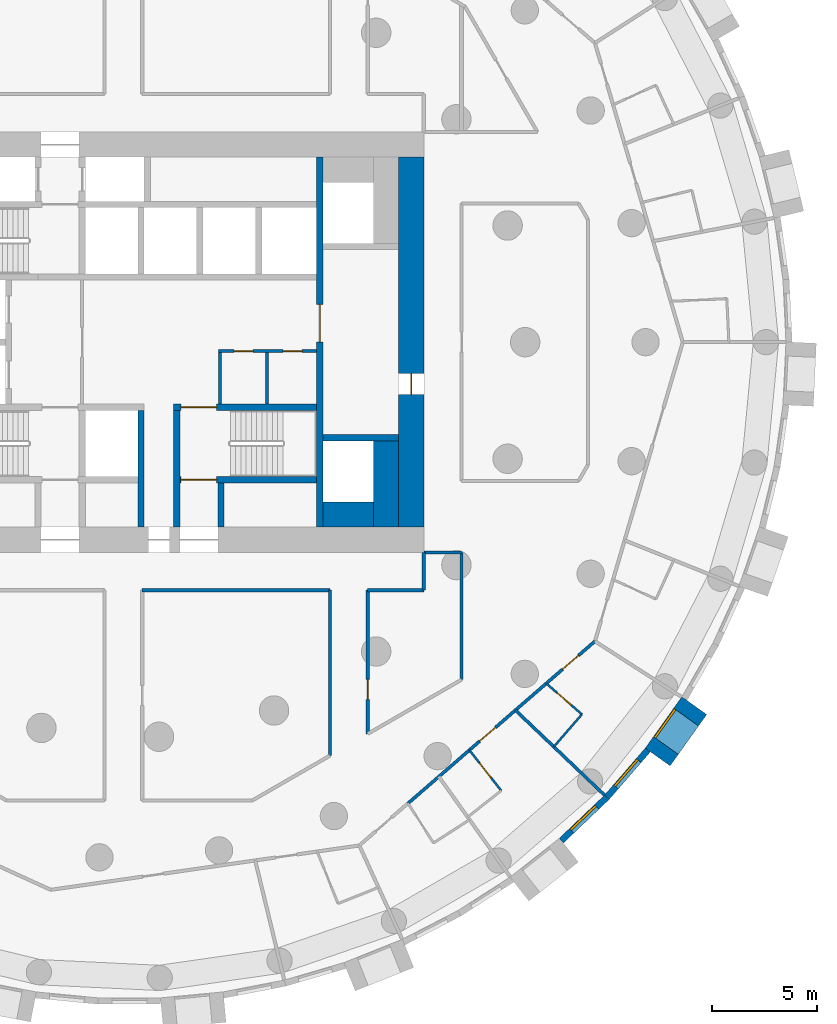
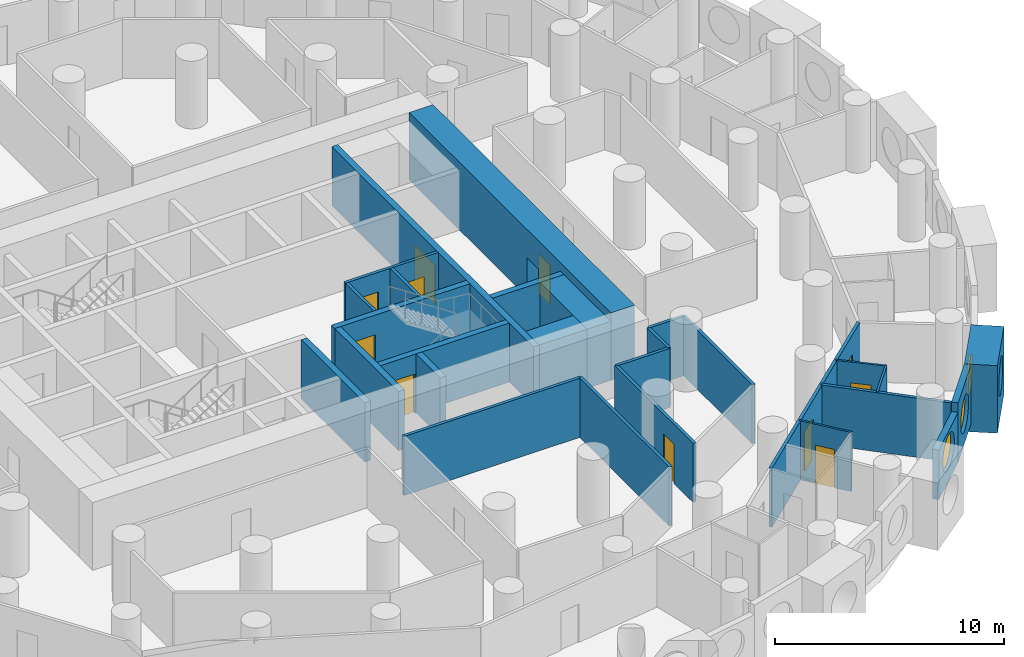
# One storey, part 5 of 12: 28 walls, 11 doors, 3 windows, 14 openings.
"""IFC4 building model written with IfcOpenShell, lengths in metres."""

from ifc_helpers import new_model, si_unit, direction, frame, frame_2d, origin, origin_2d, place, context, subcontext, project, spatial, rectangle, circle, extrude, material, layer, layer_set, type_object, element, fill, save


model = new_model("IFC4")

# Units and contexts
model_context = context("Model", 3, precision=1e-05, world=origin(), true_north=direction((0.0, 1.0)))
body_context = subcontext(model_context, "Body", "Model", "MODEL_VIEW")
ifc_project = project(units=[si_unit("LENGTHUNIT", "METRE"), si_unit("AREAUNIT", "SQUARE_METRE"), si_unit("VOLUMEUNIT", "CUBIC_METRE"), si_unit("PLANEANGLEUNIT", "RADIAN"), si_unit("MASSUNIT", "GRAM", prefix="KILO")], contexts=[model_context])

# Site, building, storey
site_placement = place(None, origin())
site = spatial("IfcSite", under=ifc_project, at=site_placement, CompositionType="ELEMENT")
building_placement = place(site_placement, origin())
building = spatial("IfcBuilding", under=site, at=building_placement, Name="Tracery Tower", CompositionType="ELEMENT")
storey_placement = place(building_placement, frame((0.0, 0.0, 78.60009765625)))
storey = spatial("IfcBuildingStorey", under=building, at=storey_placement, Name="L19", CompositionType="ELEMENT", Elevation=78.60009765625)

# Wall
ifc_material_1 = material(Name="Plasterboard on steel studs", Category="steel")
ifc_layer_1 = layer(ifc_material_1, 0.14990234375)
ifc_layer_set_1 = layer_set([ifc_layer_1], Name="Core room partition 150")
wall_type_1 = type_object("IfcWallType", Name="Core room partition 150", PredefinedType="SOLIDWALL", material=ifc_layer_set_1)
wall_1_placement = place(storey_placement, frame((4.300048828125, -2.949951171875, 0.0), z_axis=(0.0, 0.0, 1.0), x_axis=(0.0, 1.0, 0.0)))
element("IfcWall", 1, at=wall_1_placement, inside=storey, type_object=wall_type_1, Name="L19 slot W", PredefinedType="SOLIDWALL", context=body_context, shape_type="SweptSolid", body=[
    extrude(rectangle(XDim=2.449951171875, YDim=0.14990234375, at=frame_2d((1.22509765625, 0.0))), origin(), (0.0, 0.0, 1.0), 3.14990234375),
])

# Wall, openings, doors
wall_2_placement = place(storey_placement, frame((4.22509765625, -0.425048828125, 0.0), z_axis=(0.0, 0.0, 1.0), x_axis=(1.0, 0.0, 0.0)))
wall_2 = element("IfcWall", 2, at=wall_2_placement, inside=storey, type_object=wall_type_1, Name="L19 slot N", PredefinedType="SOLIDWALL", context=body_context, shape_type="SweptSolid", body=[
    extrude(rectangle(XDim=4.6748046875, YDim=0.14990234375, at=frame_2d((2.33740234375, 0.0))), origin(), (0.0, 0.0, 1.0), 3.14990234375),
])
opening_1_placement = place(wall_2_placement, frame((0.75, 0.0, 0.0)))
opening_1 = element("IfcOpeningElement", 3, at=opening_1_placement, cuts=wall_2, Name="Opening KD22", PredefinedType="OPENING", context=body_context, shape_type="SweptSolid", body=[
    extrude(rectangle(XDim=0.89990234375, YDim=2.10009765625, at=frame_2d((0.449951171875, 1.050048828125))), frame((0.0, 0.074951171875, 0.0), z_axis=(0.0, -1.0, 0.0), x_axis=(1.0, 0.0, 0.0)), (0.0, 0.0, 1.0), 0.14990234375),
])
opening_2_placement = place(wall_2_placement, frame((3.08740234375, 0.0, 0.0)))
opening_2 = element("IfcOpeningElement", 4, at=opening_2_placement, cuts=wall_2, Name="Opening KD26", PredefinedType="OPENING", context=body_context, shape_type="SweptSolid", body=[
    extrude(rectangle(XDim=0.89990234375, YDim=2.10009765625, at=frame_2d((0.449951171875, 1.050048828125))), frame((0.0, 0.074951171875, 0.0), z_axis=(0.0, -1.0, 0.0), x_axis=(1.0, 0.0, 0.0)), (0.0, 0.0, 1.0), 0.14990234375),
])
ifc_material_2 = material(Name="Timber door leaf", Category="wood")
door_type_1 = type_object("IfcDoorType", Name="Core WC door 900", OperationType="NOTDEFINED", PredefinedType="DOOR", material=ifc_material_2)
door_1_placement = place(opening_1_placement, origin())
door_1 = element("IfcDoor", 5, at=door_1_placement, inside=storey, type_object=door_type_1, Name="Core door", OperationType="SINGLE_SWING_RIGHT", OverallHeight=2.10009765625, OverallWidth=0.89990234375, PredefinedType="DOOR", context=body_context, shape_type="SweptSolid", body=[
    extrude(rectangle(XDim=0.89990234375, YDim=2.10009765625, at=frame_2d((0.449951171875, 1.050048828125))), frame((0.0, 0.02490234375, 0.0), z_axis=(0.0, -1.0, 0.0), x_axis=(1.0, 0.0, 0.0)), (0.0, 0.0, 1.0), 0.050048828125),
])
fill(opening_1, door_1)
ifc_material_3 = material(Name="Timber door leaf", Category="wood")
door_type_2 = type_object("IfcDoorType", Name="Core store door 900", OperationType="NOTDEFINED", PredefinedType="DOOR", material=ifc_material_3)
door_2_placement = place(opening_2_placement, origin())
door_2 = element("IfcDoor", 6, at=door_2_placement, inside=storey, type_object=door_type_2, Name="Core door", OperationType="SINGLE_SWING_LEFT", OverallHeight=2.10009765625, OverallWidth=0.89990234375, PredefinedType="DOOR", context=body_context, shape_type="SweptSolid", body=[
    extrude(rectangle(XDim=0.89990234375, YDim=2.10009765625, at=frame_2d((0.449951171875, 1.050048828125))), frame((0.0, 0.02490234375, 0.0), z_axis=(0.0, -1.0, 0.0), x_axis=(1.0, 0.0, 0.0)), (0.0, 0.0, 1.0), 0.050048828125),
])
fill(opening_2, door_2)

# Walls
wall_3_placement = place(storey_placement, frame((6.550048828125, -2.949951171875, 0.0), z_axis=(0.0, 0.0, 1.0), x_axis=(0.0, 1.0, 0.0)))
element("IfcWall", 7, at=wall_3_placement, inside=storey, type_object=wall_type_1, Name="L19 slot sep 1", PredefinedType="SOLIDWALL", context=body_context, shape_type="SweptSolid", body=[
    extrude(rectangle(XDim=2.449951171875, YDim=0.14990234375, at=frame_2d((1.22509765625, 0.0))), origin(), (0.0, 0.0, 1.0), 3.14990234375),
])
ifc_material_4 = material(Name="Concrete C60/75", Category="concrete")
ifc_layer_2 = layer(ifc_material_4, 1.199951171875)
ifc_layer_set_2 = layer_set([ifc_layer_2], Name="Core strip wall 1200 C60")
wall_type_2 = type_object("IfcWallType", Name="Core strip wall 1200 C60", PredefinedType="SOLIDWALL", material=ifc_layer_set_2)
wall_4_placement = place(storey_placement, frame((12.199951171875, -8.800048828125, 0.0), z_axis=(0.0, 0.0, 1.0), x_axis=(0.0, 1.0, 0.0)))
element("IfcWall", 8, at=wall_4_placement, inside=storey, type_object=wall_type_2, Name="L19 wing strip +1 -9.4", PredefinedType="SOLIDWALL", context=body_context, shape_type="SweptSolid", body=[
    extrude(rectangle(XDim=4.10009765625, YDim=1.199951171875, at=frame_2d((2.050048828125, 0.0))), origin(), (0.0, 0.0, 1.0), 3.14990234375),
])
wall_5_placement = place(storey_placement, frame((9.199951171875, -8.199951171875, 0.0), z_axis=(0.0, 0.0, 1.0), x_axis=(1.0, 0.0, 0.0)))
element("IfcWall", 9, at=wall_5_placement, inside=storey, type_object=wall_type_2, Name="L19 wing corner +1 -8.2", PredefinedType="SOLIDWALL", context=body_context, shape_type="SweptSolid", body=[
    extrude(rectangle(XDim=2.400146484375, YDim=1.199951171875, at=frame_2d((1.2001953125, 0.0))), origin(), (0.0, 0.0, 1.0), 3.14990234375),
])

# Wall, opening, door
ifc_material_5 = material(Name="Concrete C60/75", Category="concrete")
ifc_layer_3 = layer(ifc_material_5, 1.199951171875)
ifc_layer_set_3 = layer_set([ifc_layer_3], Name="Core wall 1200 C60")
wall_type_3 = type_object("IfcWallType", Name="Core wall 1200 C60", PredefinedType="SOLIDWALL", material=ifc_layer_set_3)
wall_6_placement = place(storey_placement, frame((13.39990234375, -8.800048828125, 0.0), z_axis=(0.0, 0.0, 1.0), x_axis=(0.0, 1.0, 0.0)))
wall_6 = element("IfcWall", 10, at=wall_6_placement, inside=storey, type_object=wall_type_3, Name="L19 outer E", PredefinedType="SOLIDWALL", context=body_context, shape_type="SweptSolid", body=[
    extrude(rectangle(XDim=17.60009765625, YDim=1.199951171875, at=frame_2d((8.800048828125, 0.0))), origin(), (0.0, 0.0, 1.0), 3.599853515625),
])
opening_3_placement = place(wall_6_placement, frame((6.300048828125, 0.0, 0.0)))
opening_3 = element("IfcOpeningElement", 11, at=opening_3_placement, cuts=wall_6, Name="Opening KD18", PredefinedType="OPENING", context=body_context, shape_type="SweptSolid", body=[
    extrude(rectangle(XDim=1.0, YDim=2.10009765625, at=frame_2d((0.5, 1.050048828125))), frame((0.0, 0.60009765625, 0.0), z_axis=(0.0, -1.0, 0.0), x_axis=(1.0, 0.0, 0.0)), (0.0, 0.0, 1.0), 1.199951171875),
])
ifc_material_6 = material(Name="Steel fire door", Category="steel")
door_type_3 = type_object("IfcDoorType", Name="Core exit door 1000", OperationType="NOTDEFINED", PredefinedType="DOOR", material=ifc_material_6)
door_3_placement = place(opening_3_placement, origin())
door_3 = element("IfcDoor", 12, at=door_3_placement, inside=storey, type_object=door_type_3, Name="Core exit door", OperationType="DOUBLE_DOOR_SINGLE_SWING", OverallHeight=2.10009765625, OverallWidth=1.0, PredefinedType="DOOR", context=body_context, shape_type="SweptSolid", body=[
    extrude(rectangle(XDim=1.0, YDim=2.10009765625, at=frame_2d((0.5, 1.050048828125))), frame((0.0, 0.02490234375, 0.0), z_axis=(0.0, -1.0, 0.0), x_axis=(1.0, 0.0, 0.0)), (0.0, 0.0, 1.0), 0.050048828125),
])
fill(opening_3, door_3)

# Wall, opening, window
ifc_material_7 = material(Name="Precast concrete C50/60", Category="concrete")
ifc_layer_4 = layer(ifc_material_7, 1.449951171875)
ifc_layer_set_4 = layer_set([ifc_layer_4], Name="Deep-set bay unit 3000 x 3600, slab edge 450")
wall_type_4 = type_object("IfcWallType", Name="Deep-set bay unit 3000 x 3600, slab edge 450", PredefinedType="ELEMENTEDWALL", material=ifc_layer_set_4)
wall_7_placement = place(storey_placement, frame((25.126220703125, -19.733642578125, -0.4501953125), z_axis=(0.0, 0.0, 1.0), x_axis=(0.580090570606, 0.814551981088, 0.0)))
wall_7 = element("IfcWall", 13, at=wall_7_placement, inside=storey, type_object=wall_type_4, Name="Deep-set bay unit 60 at L19", PredefinedType="ELEMENTEDWALL", context=body_context, shape_type="SweptSolid", body=[
    extrude(rectangle(XDim=3.0, YDim=1.449951171875, at=frame_2d((1.5, 0.0))), origin(), (0.0, 0.0, 1.0), 3.60009765625),
])
opening_4_placement = place(wall_7_placement, frame((1.5, 0.0, 2.0)))
opening_4 = element("IfcOpeningElement", 14, at=opening_4_placement, cuts=wall_7, Name="Opening WN1", PredefinedType="OPENING", context=body_context, shape_type="SweptSolid", body=[
    extrude(circle(Radius=0.9000244140625, at=origin_2d()), frame((0.0, 0.73486328125, 0.0), z_axis=(0.0, -1.0, 0.0), x_axis=(1.0, 0.0, 0.0)), (0.0, 0.0, 1.0), 1.469970703125),
])
ifc_material_8 = material(Name="Aluminium frame with tinted double glazing", Category="aluminium")
window_type = type_object("IfcWindowType", Name="Round window 1800", PartitioningType="SINGLE_PANEL", PredefinedType="WINDOW", material=ifc_material_8)
window_1_placement = place(opening_4_placement, origin())
window_1 = element("IfcWindow", 15, at=window_1_placement, inside=storey, type_object=window_type, Name="Round window 60 at L19", OverallHeight=1.800048828125, OverallWidth=1.800048828125, PartitioningType="SINGLE_PANEL", PredefinedType="WINDOW", context=body_context, shape_type="SweptSolid", body=[
    extrude(circle(Radius=0.9000244140625, at=origin_2d()), frame((0.0, 0.69482421875, 0.0), z_axis=(0.0, -1.0, 0.0), x_axis=(1.0, 0.0, 0.0)), (0.0, 0.0, 1.0), 0.10009765625),
])
fill(opening_4, window_1)

ifc_material_9 = material(Name="Precast concrete C50/60", Category="concrete")
ifc_layer_5 = layer(ifc_material_9, 0.300048828125)
ifc_layer_set_5 = layer_set([ifc_layer_5], Name="Facade panel 3000 x 2650")
wall_type_5 = type_object("IfcWallType", Name="Facade panel 3000 x 2650", PredefinedType="SOLIDWALL", material=ifc_layer_set_5)
wall_8_placement = place(storey_placement, frame((20.55029296875, -23.70703125, 0.0), z_axis=(0.0, 0.0, 1.0), x_axis=(0.723744206617, 0.690068346896, 0.0)))
wall_8 = element("IfcWall", 16, at=wall_8_placement, inside=storey, type_object=wall_type_5, Name="Facade panel 58 at L19", PredefinedType="SOLIDWALL", context=body_context, shape_type="SweptSolid", body=[
    extrude(rectangle(XDim=2.979736328125, YDim=0.300048828125, at=frame_2d((1.48974609375, 0.0))), origin(), (0.0, 0.0, 1.0), 2.64990234375),
])
opening_5_placement = place(wall_8_placement, frame((1.48974609375, 0.0, 1.5498046875)))
opening_5 = element("IfcOpeningElement", 17, at=opening_5_placement, cuts=wall_8, Name="Opening WN1", PredefinedType="OPENING", context=body_context, shape_type="SweptSolid", body=[
    extrude(circle(Radius=0.9000244140625, at=origin_2d()), frame((0.0, 0.159912109375, 0.0), z_axis=(0.0, -1.0, 0.0), x_axis=(1.0, 0.0, 0.0)), (0.0, 0.0, 1.0), 0.320068359375),
])
window_2_placement = place(opening_5_placement, origin())
window_2 = element("IfcWindow", 18, at=window_2_placement, inside=storey, type_object=window_type, Name="Round window 58 at L19", OverallHeight=1.800048828125, OverallWidth=1.800048828125, PartitioningType="SINGLE_PANEL", PredefinedType="WINDOW", context=body_context, shape_type="SweptSolid", body=[
    extrude(circle(Radius=0.9000244140625, at=origin_2d()), frame((0.0, 0.1201171875, 0.0), z_axis=(0.0, -1.0, 0.0), x_axis=(1.0, 0.0, 0.0)), (0.0, 0.0, 1.0), 0.10009765625),
])
fill(opening_5, window_2)

ifc_material_10 = material(Name="Precast concrete C50/60", Category="concrete")
ifc_layer_6 = layer(ifc_material_10, 0.300048828125)
ifc_layer_set_6 = layer_set([ifc_layer_6], Name="Facade panel 3000 x 3150")
wall_type_6 = type_object("IfcWallType", Name="Facade panel 3000 x 3150", PredefinedType="SOLIDWALL", material=ifc_layer_set_6)
wall_9_placement = place(storey_placement, frame((22.706787109375, -21.65087890625, 0.0), z_axis=(0.0, 0.0, 1.0), x_axis=(0.654830712471, 0.755775587066, 0.0)))
wall_9 = element("IfcWall", 19, at=wall_9_placement, inside=storey, type_object=wall_type_6, Name="Facade panel 59 at L19", PredefinedType="SOLIDWALL", context=body_context, shape_type="SweptSolid", body=[
    extrude(rectangle(XDim=2.979736328125, YDim=0.300048828125, at=frame_2d((1.48974609375, 0.0))), origin(), (0.0, 0.0, 1.0), 3.14990234375),
])
opening_6_placement = place(wall_9_placement, frame((1.48974609375, 0.0, 1.5498046875)))
opening_6 = element("IfcOpeningElement", 20, at=opening_6_placement, cuts=wall_9, Name="Opening WN1", PredefinedType="OPENING", context=body_context, shape_type="SweptSolid", body=[
    extrude(circle(Radius=0.9000244140625, at=origin_2d()), frame((0.0, 0.159912109375, 0.0), z_axis=(0.0, -1.0, 0.0), x_axis=(1.0, 0.0, 0.0)), (0.0, 0.0, 1.0), 0.320068359375),
])
window_3_placement = place(opening_6_placement, origin())
window_3 = element("IfcWindow", 21, at=window_3_placement, inside=storey, type_object=window_type, Name="Round window 59 at L19", OverallHeight=1.800048828125, OverallWidth=1.800048828125, PartitioningType="SINGLE_PANEL", PredefinedType="WINDOW", context=body_context, shape_type="SweptSolid", body=[
    extrude(circle(Radius=0.9000244140625, at=origin_2d()), frame((0.0, 0.1201171875, 0.0), z_axis=(0.0, -1.0, 0.0), x_axis=(1.0, 0.0, 0.0)), (0.0, 0.0, 1.0), 0.10009765625),
])
fill(opening_6, window_3)

# Wall, opening, door
ifc_material_11 = material(Name="Plasterboard on steel studs", Category="steel")
ifc_layer_7 = layer(ifc_material_11, 0.10009765625)
ifc_layer_set_7 = layer_set([ifc_layer_7], Name="Partition 100 wet wall")
wall_type_7 = type_object("IfcWallType", Name="Partition 100 wet wall", PredefinedType="PARTITIONING", material=ifc_layer_set_7)
wall_10_placement = place(storey_placement, frame((16.16796875, -19.404052734375, 0.0), z_axis=(0.0, 0.0, 1.0), x_axis=(0.618142414415, -0.786066126672, 0.0)))
wall_10 = element("IfcWall", 22, at=wall_10_placement, inside=storey, type_object=wall_type_7, Name="Wet wall RA5-094", PredefinedType="PARTITIONING", context=body_context, shape_type="SweptSolid", body=[
    extrude(rectangle(XDim=2.45263671875, YDim=0.10009765625, at=frame_2d((1.226318359375, 0.0))), origin(), (0.0, 0.0, 1.0), 3.14990234375),
])
opening_7_placement = place(wall_10_placement, frame((0.776611328125, 0.0, 0.0)))
opening_7 = element("IfcOpeningElement", 23, at=opening_7_placement, cuts=wall_10, Name="Opening RA5-35", PredefinedType="OPENING", context=body_context, shape_type="SweptSolid", body=[
    extrude(rectangle(XDim=0.89990234375, YDim=2.0400390625, at=frame_2d((0.449951171875, 1.02001953125))), frame((0.0, 0.050048828125, 0.0), z_axis=(0.0, -1.0, 0.0), x_axis=(1.0, 0.0, 0.0)), (0.0, 0.0, 1.0), 0.10009765625),
])
ifc_material_12 = material(Name="Timber door leaf", Category="wood")
door_type_4 = type_object("IfcDoorType", Name="Door en-suite 900", OperationType="NOTDEFINED", PredefinedType="DOOR", material=ifc_material_12)
door_4_placement = place(opening_7_placement, origin())
door_4 = element("IfcDoor", 24, at=door_4_placement, inside=storey, type_object=door_type_4, Name="En-suite door RA5-35", OperationType="SINGLE_SWING_LEFT", OverallHeight=2.0400390625, OverallWidth=0.89990234375, PredefinedType="DOOR", context=body_context, shape_type="SweptSolid", body=[
    extrude(rectangle(XDim=0.89990234375, YDim=2.0400390625, at=frame_2d((0.449951171875, 1.02001953125))), frame((0.0, 0.02490234375, 0.0), z_axis=(0.0, -1.0, 0.0), x_axis=(1.0, 0.0, 0.0)), (0.0, 0.0, 1.0), 0.050048828125),
])
fill(opening_7, door_4)

# Wall
wall_11_placement = place(storey_placement, frame((20.18408203125, -19.2451171875, 0.0), z_axis=(0.0, 0.0, 1.0), x_axis=(0.655017058368, 0.755614090159, 0.0)))
element("IfcWall", 25, at=wall_11_placement, inside=storey, type_object=wall_type_7, Name="Wet wall RA5-096", PredefinedType="PARTITIONING", context=body_context, shape_type="SweptSolid", body=[
    extrude(rectangle(XDim=2.041015625, YDim=0.10009765625, at=frame_2d((1.0205078125, 0.0))), origin(), (0.0, 0.0, 1.0), 3.14990234375),
])

# Wall, opening, door
wall_12_placement = place(storey_placement, frame((19.825927734375, -16.23388671875, 0.0), z_axis=(0.0, 0.0, 1.0), x_axis=(0.755703447798, -0.654913963042, 0.0)))
wall_12 = element("IfcWall", 26, at=wall_12_placement, inside=storey, type_object=wall_type_7, Name="Wet wall RA5-097", PredefinedType="PARTITIONING", context=body_context, shape_type="SweptSolid", body=[
    extrude(rectangle(XDim=2.242919921875, YDim=0.10009765625, at=frame_2d((1.12158203125, 0.0))), origin(), (0.0, 0.0, 1.0), 3.14990234375),
])
opening_8_placement = place(wall_12_placement, frame((0.672119140625, 0.0, 0.0)))
opening_8 = element("IfcOpeningElement", 27, at=opening_8_placement, cuts=wall_12, Name="Opening RA5-37", PredefinedType="OPENING", context=body_context, shape_type="SweptSolid", body=[
    extrude(rectangle(XDim=0.89990234375, YDim=2.0400390625, at=frame_2d((0.449951171875, 1.02001953125))), frame((0.0, 0.050048828125, 0.0), z_axis=(0.0, -1.0, 0.0), x_axis=(1.0, 0.0, 0.0)), (0.0, 0.0, 1.0), 0.10009765625),
])
door_5_placement = place(opening_8_placement, origin())
door_5 = element("IfcDoor", 28, at=door_5_placement, inside=storey, type_object=door_type_4, Name="En-suite door RA5-37", OperationType="SINGLE_SWING_LEFT", OverallHeight=2.0400390625, OverallWidth=0.89990234375, PredefinedType="DOOR", context=body_context, shape_type="SweptSolid", body=[
    extrude(rectangle(XDim=0.89990234375, YDim=2.0400390625, at=frame_2d((0.449951171875, 1.02001953125))), frame((0.0, 0.02490234375, 0.0), z_axis=(0.0, -1.0, 0.0), x_axis=(1.0, 0.0, 0.0)), (0.0, 0.0, 1.0), 0.050048828125),
])
fill(opening_8, door_5)

# Walls
ifc_material_13 = material(Name="Plasterboard on steel studs", Category="steel")
ifc_layer_8 = layer(ifc_material_13, 0.14990234375)
ifc_layer_set_8 = layer_set([ifc_layer_8], Name="Partition 150 acoustic unit wall")
wall_type_8 = type_object("IfcWallType", Name="Partition 150 acoustic unit wall", PredefinedType="PARTITIONING", material=ifc_layer_set_8)
wall_13_placement = place(storey_placement, frame((18.35888671875, -17.506103515625, 0.0), z_axis=(0.0, 0.0, 1.0), x_axis=(0.723808715798, -0.690000683286, 0.0)))
element("IfcWall", 29, at=wall_13_placement, inside=storey, type_object=wall_type_8, Name="Unit wall RA5-095", PredefinedType="PARTITIONING", context=body_context, shape_type="SweptSolid", body=[
    extrude(rectangle(XDim=5.8564453125, YDim=0.14990234375, at=frame_2d((2.92822265625, 0.0))), origin(), (0.0, 0.0, 1.0), 3.14990234375),
])
ifc_material_14 = material(Name="Plasterboard on steel studs", Category="steel")
ifc_layer_9 = layer(ifc_material_14, 0.14990234375)
ifc_layer_set_9 = layer_set([ifc_layer_9], Name="Partition 150 corridor wall")
wall_type_9 = type_object("IfcWallType", Name="Partition 150 corridor wall", PredefinedType="PARTITIONING", material=ifc_layer_set_9)
wall_14_placement = place(storey_placement, frame((0.60400390625, -11.800048828125, 0.0), z_axis=(0.0, 0.0, 1.0), x_axis=(1.0, 0.0, 0.0)))
element("IfcWall", 30, at=wall_14_placement, inside=storey, type_object=wall_type_9, Name="Corridor wall RA5-006", PredefinedType="PARTITIONING", context=body_context, shape_type="SweptSolid", body=[
    extrude(rectangle(XDim=8.93603515625, YDim=0.14990234375, at=frame_2d((4.468017578125, 0.0))), origin(), (0.0, 0.0, 1.0), 3.14990234375),
])
wall_15_placement = place(storey_placement, frame((14.0, -11.800048828125, 0.0), z_axis=(0.0, 0.0, 1.0), x_axis=(0.0, 1.0, 0.0)))
element("IfcWall", 31, at=wall_15_placement, inside=storey, type_object=wall_type_9, Name="Corridor wall RA5-007", PredefinedType="PARTITIONING", context=body_context, shape_type="SweptSolid", body=[
    extrude(rectangle(XDim=1.800048828125, YDim=0.14990234375, at=frame_2d((0.89990234375, 0.0))), origin(), (0.0, 0.0, 1.0), 3.14990234375),
])
wall_16_placement = place(storey_placement, frame((11.33203125, -11.800048828125, 0.0), z_axis=(0.0, 0.0, 1.0), x_axis=(1.0, 0.0, 0.0)))
element("IfcWall", 32, at=wall_16_placement, inside=storey, type_object=wall_type_9, Name="Corridor wall RA5-008", PredefinedType="PARTITIONING", context=body_context, shape_type="SweptSolid", body=[
    extrude(rectangle(XDim=2.66796875, YDim=0.14990234375, at=frame_2d((1.333984375, 0.0))), origin(), (0.0, 0.0, 1.0), 3.14990234375),
])
wall_17_placement = place(storey_placement, frame((14.0, -10.0, 0.0), z_axis=(0.0, 0.0, 1.0), x_axis=(1.0, 0.0, 0.0)))
element("IfcWall", 33, at=wall_17_placement, inside=storey, type_object=wall_type_9, Name="Corridor wall RA5-010", PredefinedType="PARTITIONING", context=body_context, shape_type="SweptSolid", body=[
    extrude(rectangle(XDim=1.800048828125, YDim=0.14990234375, at=frame_2d((0.89990234375, 0.0))), origin(), (0.0, 0.0, 1.0), 3.14990234375),
])
wall_18_placement = place(storey_placement, frame((15.800048828125, -16.052978515625, 0.0), z_axis=(0.0, 0.0, 1.0), x_axis=(0.0, 1.0, 0.0)))
element("IfcWall", 34, at=wall_18_placement, inside=storey, type_object=wall_type_9, Name="Corridor wall RA5-013", PredefinedType="PARTITIONING", context=body_context, shape_type="SweptSolid", body=[
    extrude(rectangle(XDim=6.056884765625, YDim=0.14990234375, at=frame_2d((3.0283203125, 0.0))), origin(), (0.0, 0.0, 1.0), 3.14990234375),
])

# Wall, openings, doors
wall_19_placement = place(storey_placement, frame((13.247314453125, -21.939453125, 0.0), z_axis=(0.0, 0.0, 1.0), x_axis=(0.755420750547, 0.655240024451, 0.0)))
wall_19 = element("IfcWall", 35, at=wall_19_placement, inside=storey, type_object=wall_type_9, Name="Corridor wall RA5-022", PredefinedType="PARTITIONING", context=body_context, shape_type="SweptSolid", body=[
    extrude(rectangle(XDim=11.770751953125, YDim=0.14990234375, at=frame_2d((5.88525390625, 0.0))), origin(), (0.0, 0.0, 1.0), 3.14990234375),
])
opening_9_placement = place(wall_19_placement, frame((4.512939453125, 0.0, 0.0)))
opening_9 = element("IfcOpeningElement", 36, at=opening_9_placement, cuts=wall_19, Name="Opening RA5-36", PredefinedType="OPENING", context=body_context, shape_type="SweptSolid", body=[
    extrude(rectangle(XDim=1.0, YDim=2.10009765625, at=frame_2d((0.5, 1.050048828125))), frame((0.0, 0.074951171875, 0.0), z_axis=(0.0, -1.0, 0.0), x_axis=(1.0, 0.0, 0.0)), (0.0, 0.0, 1.0), 0.14990234375),
])
opening_10_placement = place(wall_19_placement, frame((9.73779296875, 0.0, 0.0)))
opening_10 = element("IfcOpeningElement", 37, at=opening_10_placement, cuts=wall_19, Name="Opening RA5-38", PredefinedType="OPENING", context=body_context, shape_type="SweptSolid", body=[
    extrude(rectangle(XDim=1.0, YDim=2.10009765625, at=frame_2d((0.5, 1.050048828125))), frame((0.0, 0.074951171875, 0.0), z_axis=(0.0, -1.0, 0.0), x_axis=(1.0, 0.0, 0.0)), (0.0, 0.0, 1.0), 0.14990234375),
])
ifc_material_15 = material(Name="Timber door leaf", Category="wood")
door_type_5 = type_object("IfcDoorType", Name="Door unit entrance 1000", OperationType="NOTDEFINED", PredefinedType="DOOR", material=ifc_material_15)
door_6_placement = place(opening_9_placement, origin())
door_6 = element("IfcDoor", 38, at=door_6_placement, inside=storey, type_object=door_type_5, Name="Unit entrance door RA5-36", OperationType="SINGLE_SWING_LEFT", OverallHeight=2.10009765625, OverallWidth=1.0, PredefinedType="DOOR", context=body_context, shape_type="SweptSolid", body=[
    extrude(rectangle(XDim=1.0, YDim=2.10009765625, at=frame_2d((0.5, 1.050048828125))), frame((0.0, 0.02490234375, 0.0), z_axis=(0.0, -1.0, 0.0), x_axis=(1.0, 0.0, 0.0)), (0.0, 0.0, 1.0), 0.050048828125),
])
fill(opening_9, door_6)
door_7_placement = place(opening_10_placement, origin())
door_7 = element("IfcDoor", 39, at=door_7_placement, inside=storey, type_object=door_type_5, Name="Unit entrance door RA5-38", OperationType="SINGLE_SWING_LEFT", OverallHeight=2.10009765625, OverallWidth=1.0, PredefinedType="DOOR", context=body_context, shape_type="SweptSolid", body=[
    extrude(rectangle(XDim=1.0, YDim=2.10009765625, at=frame_2d((0.5, 1.050048828125))), frame((0.0, 0.02490234375, 0.0), z_axis=(0.0, -1.0, 0.0), x_axis=(1.0, 0.0, 0.0)), (0.0, 0.0, 1.0), 0.050048828125),
])
fill(opening_10, door_7)

# Wall
wall_20_placement = place(storey_placement, frame((9.535888671875, -19.6689453125, 0.0), z_axis=(0.0, 0.0, 1.0), x_axis=(0.0, 1.0, 0.0)))
element("IfcWall", 40, at=wall_20_placement, inside=storey, type_object=wall_type_9, Name="Corridor wall RA5-051", PredefinedType="PARTITIONING", context=body_context, shape_type="SweptSolid", body=[
    extrude(rectangle(XDim=7.868896484375, YDim=0.14990234375, at=frame_2d((3.9345703125, 0.0))), origin(), (0.0, 0.0, 1.0), 3.14990234375),
])

# Wall, opening, door
wall_21_placement = place(storey_placement, frame((11.3359375, -18.6298828125, 0.0), z_axis=(0.0, 0.0, 1.0), x_axis=(0.0, 1.0, 0.0)))
wall_21 = element("IfcWall", 41, at=wall_21_placement, inside=storey, type_object=wall_type_9, Name="Corridor wall RA5-052", PredefinedType="PARTITIONING", context=body_context, shape_type="SweptSolid", body=[
    extrude(rectangle(XDim=6.829833984375, YDim=0.14990234375, at=frame_2d((3.4150390625, 0.0))), origin(), (0.0, 0.0, 1.0), 3.14990234375),
])
opening_11_placement = place(wall_21_placement, frame((1.639892578125, 0.0, 0.0)))
opening_11 = element("IfcOpeningElement", 42, at=opening_11_placement, cuts=wall_21, Name="Opening RA5-06", PredefinedType="OPENING", context=body_context, shape_type="SweptSolid", body=[
    extrude(rectangle(XDim=0.949951171875, YDim=2.10009765625, at=frame_2d((0.47509765625, 1.050048828125))), frame((0.0, 0.074951171875, 0.0), z_axis=(0.0, -1.0, 0.0), x_axis=(1.0, 0.0, 0.0)), (0.0, 0.0, 1.0), 0.14990234375),
])
ifc_material_16 = material(Name="Timber door leaf", Category="wood")
door_type_6 = type_object("IfcDoorType", Name="Door store 950", OperationType="NOTDEFINED", PredefinedType="DOOR", material=ifc_material_16)
door_8_placement = place(opening_11_placement, origin())
door_8 = element("IfcDoor", 43, at=door_8_placement, inside=storey, type_object=door_type_6, Name="Store door RA5-06", OperationType="SINGLE_SWING_RIGHT", OverallHeight=2.10009765625, OverallWidth=0.949951171875, PredefinedType="DOOR", context=body_context, shape_type="SweptSolid", body=[
    extrude(rectangle(XDim=0.949951171875, YDim=2.10009765625, at=frame_2d((0.47509765625, 1.050048828125))), frame((0.0, 0.02490234375, 0.0), z_axis=(0.0, -1.0, 0.0), x_axis=(1.0, 0.0, 0.0)), (0.0, 0.0, 1.0), 0.050048828125),
])
fill(opening_11, door_8)

# Walls
ifc_material_17 = material(Name="Concrete C60/75", Category="concrete")
ifc_layer_10 = layer(ifc_material_17, 0.300048828125)
ifc_layer_set_10 = layer_set([ifc_layer_10], Name="Shaft wall 300 C60")
wall_type_10 = type_object("IfcWallType", Name="Shaft wall 300 C60", PredefinedType="SOLIDWALL", material=ifc_layer_set_10)
wall_22_placement = place(storey_placement, frame((0.550048828125, -8.800048828125, 0.0), z_axis=(0.0, 0.0, 1.0), x_axis=(0.0, 1.0, 0.0)))
element("IfcWall", 44, at=wall_22_placement, inside=storey, type_object=wall_type_10, Name="L19 OB2 E", PredefinedType="SOLIDWALL", context=body_context, shape_type="SweptSolid", body=[
    extrude(rectangle(XDim=5.550048828125, YDim=0.300048828125, at=frame_2d((2.77490234375, 0.0))), origin(), (0.0, 0.0, 1.0), 3.14990234375),
])
wall_23_placement = place(storey_placement, frame((4.35009765625, -8.800048828125, 0.0), z_axis=(0.0, 0.0, 1.0), x_axis=(0.0, 1.0, 0.0)))
element("IfcWall", 45, at=wall_23_placement, inside=storey, type_object=wall_type_10, Name="L19 band S +4.35", PredefinedType="SOLIDWALL", context=body_context, shape_type="SweptSolid", body=[
    extrude(rectangle(XDim=2.10009765625, YDim=0.300048828125, at=frame_2d((1.050048828125, 0.0))), origin(), (0.0, 0.0, 1.0), 3.14990234375),
])
wall_24_placement = place(storey_placement, frame((9.199951171875, -4.550048828125, 0.0), z_axis=(0.0, 0.0, 1.0), x_axis=(1.0, 0.0, 0.0)))
element("IfcWall", 46, at=wall_24_placement, inside=storey, type_object=wall_type_10, Name="L19 wing shaft wall +1 -4.55", PredefinedType="SOLIDWALL", context=body_context, shape_type="SweptSolid", body=[
    extrude(rectangle(XDim=3.60009765625, YDim=0.300048828125, at=frame_2d((1.800048828125, 0.0))), origin(), (0.0, 0.0, 1.0), 3.14990234375),
])

# Wall, opening, door
ifc_material_18 = material(Name="Concrete C60/75", Category="concrete")
ifc_layer_11 = layer(ifc_material_18, 0.300048828125)
ifc_layer_set_11 = layer_set([ifc_layer_11], Name="Stair wall 300 C60")
wall_type_11 = type_object("IfcWallType", Name="Stair wall 300 C60", PredefinedType="SOLIDWALL", material=ifc_layer_set_11)
wall_25_placement = place(storey_placement, frame((2.10009765625, -3.10009765625, 0.0), z_axis=(0.0, 0.0, 1.0), x_axis=(1.0, 0.0, 0.0)))
wall_25 = element("IfcWall", 47, at=wall_25_placement, inside=storey, type_object=wall_type_11, Name="L19 row S E", PredefinedType="SOLIDWALL", context=body_context, shape_type="SweptSolid", body=[
    extrude(rectangle(XDim=6.7998046875, YDim=0.300048828125, at=frame_2d((3.39990234375, 0.0))), origin(), (0.0, 0.0, 1.0), 3.14990234375),
])
opening_12_placement = place(wall_25_placement, frame((0.35009765625, 0.0, 0.0)))
opening_12 = element("IfcOpeningElement", 48, at=opening_12_placement, cuts=wall_25, Name="Opening KD3", PredefinedType="OPENING", context=body_context, shape_type="SweptSolid", body=[
    extrude(rectangle(XDim=1.699951171875, YDim=2.10009765625, at=frame_2d((0.85009765625, 1.050048828125))), frame((0.0, 0.14990234375, 0.0), z_axis=(0.0, -1.0, 0.0), x_axis=(1.0, 0.0, 0.0)), (0.0, 0.0, 1.0), 0.300048828125),
])
ifc_material_19 = material(Name="Steel fire door", Category="steel")
door_type_7 = type_object("IfcDoorType", Name="Core stair door 1700 double", OperationType="NOTDEFINED", PredefinedType="DOOR", material=ifc_material_19)
door_9_placement = place(opening_12_placement, origin())
door_9 = element("IfcDoor", 49, at=door_9_placement, inside=storey, type_object=door_type_7, Name="Stair door ST2", OperationType="DOUBLE_DOOR_SINGLE_SWING", OverallHeight=2.10009765625, OverallWidth=1.699951171875, PredefinedType="DOOR", context=body_context, shape_type="SweptSolid", body=[
    extrude(rectangle(XDim=1.699951171875, YDim=2.10009765625, at=frame_2d((0.85009765625, 1.050048828125))), frame((0.0, 0.02490234375, 0.0), z_axis=(0.0, -1.0, 0.0), x_axis=(1.0, 0.0, 0.0)), (0.0, 0.0, 1.0), 0.050048828125),
])
fill(opening_12, door_9)

# Wall
wall_26_placement = place(storey_placement, frame((2.25, -8.800048828125, 0.0), z_axis=(0.0, 0.0, 1.0), x_axis=(0.0, 1.0, 0.0)))
element("IfcWall", 50, at=wall_26_placement, inside=storey, type_object=wall_type_11, Name="L19 ST2 W", PredefinedType="SOLIDWALL", context=body_context, shape_type="SweptSolid", body=[
    extrude(rectangle(XDim=5.550048828125, YDim=0.300048828125, at=frame_2d((2.77490234375, 0.0))), origin(), (0.0, 0.0, 1.0), 3.14990234375),
])

# Wall, opening, door
wall_27_placement = place(storey_placement, frame((9.050048828125, -8.800048828125, 0.0), z_axis=(0.0, 0.0, 1.0), x_axis=(0.0, 1.0, 0.0)))
wall_27 = element("IfcWall", 51, at=wall_27_placement, inside=storey, type_object=wall_type_11, Name="L19 F wall +9", PredefinedType="SOLIDWALL", context=body_context, shape_type="SweptSolid", body=[
    extrude(rectangle(XDim=17.60009765625, YDim=0.300048828125, at=frame_2d((8.800048828125, 0.0))), origin(), (0.0, 0.0, 1.0), 3.14990234375),
])
opening_13_placement = place(wall_27_placement, frame((8.800048828125, 0.0, 0.0)))
opening_13 = element("IfcOpeningElement", 52, at=opening_13_placement, cuts=wall_27, Name="Opening KD13", PredefinedType="OPENING", context=body_context, shape_type="SweptSolid", body=[
    extrude(rectangle(XDim=1.800048828125, YDim=2.10009765625, at=frame_2d((0.89990234375, 1.050048828125))), frame((0.0, 0.14990234375, 0.0), z_axis=(0.0, -1.0, 0.0), x_axis=(1.0, 0.0, 0.0)), (0.0, 0.0, 1.0), 0.300048828125),
])
ifc_material_20 = material(Name="Steel fire door", Category="steel")
door_type_8 = type_object("IfcDoorType", Name="Core exit door 1800 double", OperationType="NOTDEFINED", PredefinedType="DOOR", material=ifc_material_20)
door_10_placement = place(opening_13_placement, origin())
door_10 = element("IfcDoor", 53, at=door_10_placement, inside=storey, type_object=door_type_8, Name="Core exit door", OperationType="DOUBLE_DOOR_SINGLE_SWING", OverallHeight=2.10009765625, OverallWidth=1.800048828125, PredefinedType="DOOR", context=body_context, shape_type="SweptSolid", body=[
    extrude(rectangle(XDim=1.800048828125, YDim=2.10009765625, at=frame_2d((0.89990234375, 1.050048828125))), frame((0.0, 0.02490234375, 0.0), z_axis=(0.0, -1.0, 0.0), x_axis=(1.0, 0.0, 0.0)), (0.0, 0.0, 1.0), 0.050048828125),
])
fill(opening_13, door_10)

wall_28_placement = place(storey_placement, frame((2.39990234375, -6.550048828125, 0.0), z_axis=(0.0, 0.0, 1.0), x_axis=(1.0, 0.0, 0.0)))
wall_28 = element("IfcWall", 54, at=wall_28_placement, inside=storey, type_object=wall_type_11, Name="L19 F S E", PredefinedType="SOLIDWALL", context=body_context, shape_type="SweptSolid", body=[
    extrude(rectangle(XDim=6.5, YDim=0.300048828125, at=frame_2d((3.25, 0.0))), origin(), (0.0, 0.0, 1.0), 3.14990234375),
])
opening_14_placement = place(wall_28_placement, frame((0.050048828125, 0.0, 0.0)))
opening_14 = element("IfcOpeningElement", 55, at=opening_14_placement, cuts=wall_28, Name="Opening KD3", PredefinedType="OPENING", context=body_context, shape_type="SweptSolid", body=[
    extrude(rectangle(XDim=1.699951171875, YDim=2.10009765625, at=frame_2d((0.85009765625, 1.050048828125))), frame((0.0, 0.14990234375, 0.0), z_axis=(0.0, -1.0, 0.0), x_axis=(1.0, 0.0, 0.0)), (0.0, 0.0, 1.0), 0.300048828125),
])
door_11_placement = place(opening_14_placement, origin())
door_11 = element("IfcDoor", 56, at=door_11_placement, inside=storey, type_object=door_type_7, Name="Stair door ST2 S", OperationType="DOUBLE_DOOR_SINGLE_SWING", OverallHeight=2.10009765625, OverallWidth=1.699951171875, PredefinedType="DOOR", context=body_context, shape_type="SweptSolid", body=[
    extrude(rectangle(XDim=1.699951171875, YDim=2.10009765625, at=frame_2d((0.85009765625, 1.050048828125))), frame((0.0, 0.02490234375, 0.0), z_axis=(0.0, -1.0, 0.0), x_axis=(1.0, 0.0, 0.0)), (0.0, 0.0, 1.0), 0.050048828125),
])
fill(opening_14, door_11)

save(model, "model.ifc")
